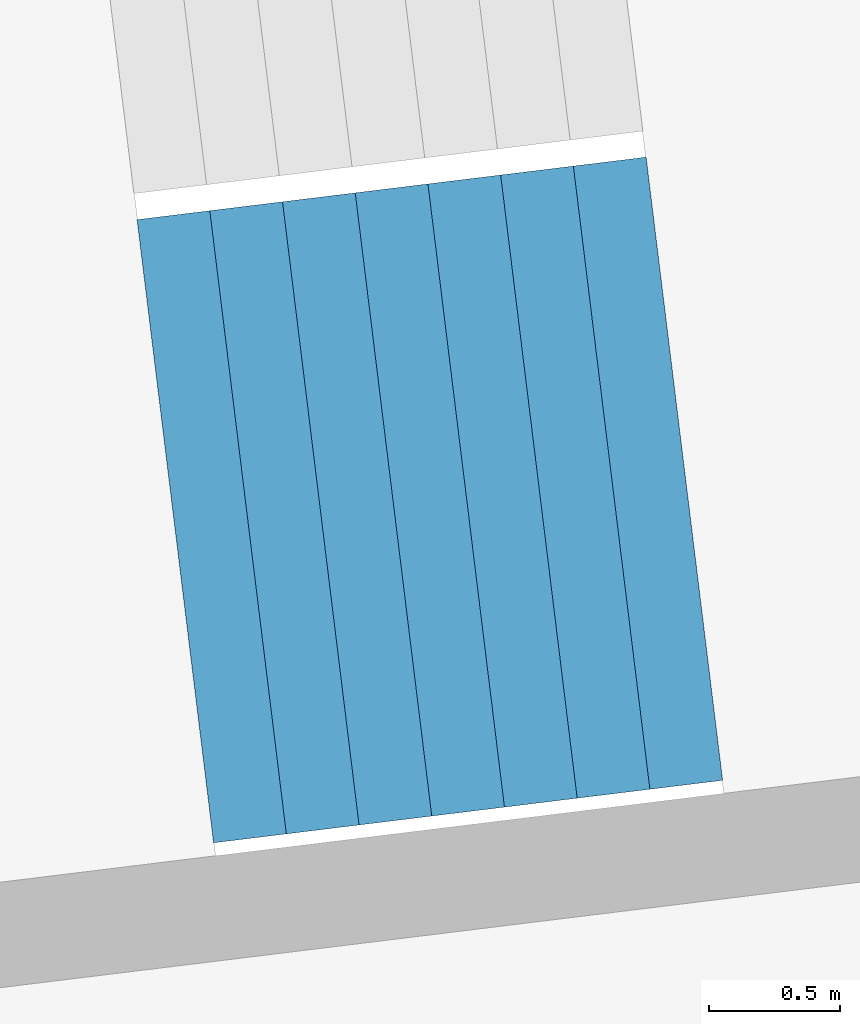
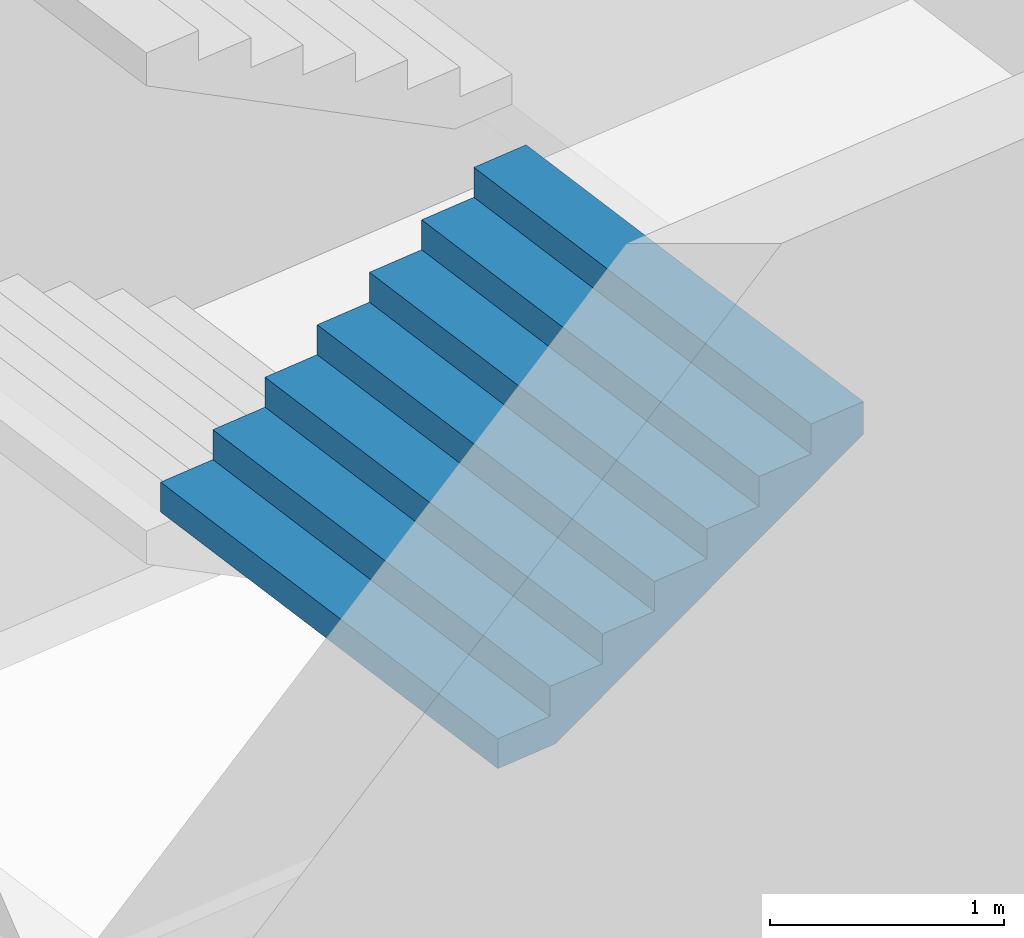
# One storey, part 58 of 73: 1 stair flight, 1 element without a shape of its own.
"""IFC4 building model written with IfcOpenShell, lengths in metres."""

from ifc_helpers import new_model, si_unit, direction, frame, origin, place, context, subcontext, project, spatial, triangles, material, type_object, element, aggregate, save


model = new_model("IFC4")

# Units and contexts
model_context = context("Model", 3, precision=1e-05, world=origin(), true_north=direction((0.0, 1.0)))
body_context = subcontext(model_context, "Body", "Model", "MODEL_VIEW")
ifc_project = project(units=[si_unit("LENGTHUNIT", "METRE"), si_unit("AREAUNIT", "SQUARE_METRE"), si_unit("VOLUMEUNIT", "CUBIC_METRE"), si_unit("PLANEANGLEUNIT", "RADIAN"), si_unit("MASSUNIT", "GRAM", prefix="KILO")], contexts=[model_context])

# Site, building, storey
site_placement = place(None, origin())
site = spatial("IfcSite", under=ifc_project, at=site_placement, CompositionType="ELEMENT")
building_placement = place(site_placement, origin())
building = spatial("IfcBuilding", under=site, at=building_placement, Name="Lantaw Convention Tower", CompositionType="ELEMENT")
storey_placement = place(building_placement, frame((0.0, 0.0, 27.0)))
storey = spatial("IfcBuildingStorey", under=building, at=storey_placement, Name="L04", CompositionType="ELEMENT", Elevation=27.0)

# Stair, stair flight
ifc_material = material(Name="Concrete C35/45", Category="concrete")
stair_type = type_object("IfcStairType", Name="Exit stair 2400 riser 156.25 in 4 flights", PredefinedType="HALF_TURN_STAIR", material=ifc_material)
stair_placement = place(storey_placement, origin())
stair = element("IfcStair", 1, at=stair_placement, inside=storey, type_object=stair_type, Name="Podium exit stair P1 L04", PredefinedType="HALF_TURN_STAIR")
stair_flight_type = type_object("IfcStairFlightType", Name="Stair flight 2400 riser 156.25", PredefinedType="STRAIGHT", material=ifc_material)
stair_flight_placement = place(storey_placement, frame((38.2763671875, 3.4404296875, 2.5), z_axis=(0.0, 0.0, 1.0), x_axis=(0.992546151641, 0.121869343405, 0.0)))
stair_flight = element("IfcStairFlight", 2, at=stair_flight_placement, type_object=stair_flight_type, Name="P1 flight 3", NumberOfRisers=8, NumberOfTreads=7, PredefinedType="STRAIGHT", RiserHeight=0.15625, TreadLength=0.28, context=body_context, shape_type="Tessellation", body=[
    triangles([(0.0, 1.199951171875, 0.0), (0.0, 1.199951171875, 0.15625), (0.28, 1.199951171875, 0.0), (0.28, 1.199951171875, 0.15625), (0.28, 1.199951171875, 0.3125), (0.3076200632058044, 1.199951171875, 0.0), (0.3076200632058044, 1.199951171875, 0.3125), (0.56, 1.199951171875, 0.14083701830033238), (0.56, 1.199951171875, 0.3125), (0.56, 1.199951171875, 0.46875), (0.8400000000000001, 1.199951171875, 0.29708701830033235), (0.8400000000000001, 1.199951171875, 0.46875), (0.8400000000000001, 1.199951171875, 0.625), (1.12, 1.199951171875, 0.45333701830033235), (1.12, 1.199951171875, 0.625), (1.12, 1.199951171875, 0.78125), (1.4000000000000001, 1.199951171875, 0.6095870183003324), (1.4000000000000001, 1.199951171875, 0.78125), (1.4000000000000001, 1.199951171875, 0.9375), (1.6800000000000002, 1.199951171875, 0.7658370183003324), (1.6800000000000002, 1.199951171875, 0.9375), (1.6800000000000002, 1.199951171875, 1.09375), (1.9600000000000002, 1.199951171875, 0.9220870183003324), (1.9600000000000002, 1.199951171875, 1.09375), (0.0, -1.199951171875, 0.0), (0.0, -1.199951171875, 0.15625), (0.28, -1.199951171875, 0.0), (0.28, -1.199951171875, 0.15625), (0.28, -1.199951171875, 0.3125), (0.3076200632058044, -1.199951171875, 0.0), (0.3076200632058044, -1.199951171875, 0.3125), (0.56, -1.199951171875, 0.14083701830033238), (0.56, -1.199951171875, 0.3125), (0.56, -1.199951171875, 0.46875), (0.8400000000000001, -1.199951171875, 0.29708701830033235), (0.8400000000000001, -1.199951171875, 0.46875), (0.8400000000000001, -1.199951171875, 0.625), (1.12, -1.199951171875, 0.45333701830033235), (1.12, -1.199951171875, 0.625), (1.12, -1.199951171875, 0.78125), (1.4000000000000001, -1.199951171875, 0.6095870183003324), (1.4000000000000001, -1.199951171875, 0.78125), (1.4000000000000001, -1.199951171875, 0.9375), (1.6800000000000002, -1.199951171875, 0.7658370183003324), (1.6800000000000002, -1.199951171875, 0.9375), (1.6800000000000002, -1.199951171875, 1.09375), (1.9600000000000002, -1.199951171875, 0.9220870183003324), (1.9600000000000002, -1.199951171875, 1.09375), (0.0, 0.239990234375, 0.15625), (0.0, 0.239990234375, 0.0), (0.0, 0.1919921875, 0.15625), (0.0, 0.1919921875, 0.0), (0.0, 0.143994140625, 0.15625), (0.0, 0.143994140625, 0.0), (0.0, 0.09599609375, 0.15625), (0.0, 0.09599609375, 0.0), (0.0, 0.047998046875, 0.15625), (0.0, 0.047998046875, 0.0), (0.0, 0.0, 0.15625), (0.0, 0.0, 0.0), (0.0, -0.047998046875, 0.15625), (0.0, -0.047998046875, 0.0), (0.0, -0.09599609375, 0.15625), (0.0, -0.09599609375, 0.0), (0.0, -0.143994140625, 0.15625), (0.0, -0.143994140625, 0.0), (0.0, -0.1919921875, 0.15625), (0.0, -0.1919921875, 0.0), (0.0, -0.239990234375, 0.15625), (0.0, -0.239990234375, 0.0), (0.28, 0.239990234375, 0.3125), (0.28, 0.239990234375, 0.15625), (0.28, 0.1919921875, 0.3125), (0.28, 0.1919921875, 0.15625), (0.28, 0.143994140625, 0.3125), (0.28, 0.143994140625, 0.15625), (0.28, 0.09599609375, 0.3125), (0.28, 0.09599609375, 0.15625), (0.28, 0.047998046875, 0.3125), (0.28, 0.047998046875, 0.15625), (0.28, 0.0, 0.3125), (0.28, 0.0, 0.15625), (0.28, -0.047998046875, 0.3125), (0.28, -0.047998046875, 0.15625), (0.28, -0.09599609375, 0.3125), (0.28, -0.09599609375, 0.15625), (0.28, -0.143994140625, 0.3125), (0.28, -0.143994140625, 0.15625), (0.28, -0.1919921875, 0.3125), (0.28, -0.1919921875, 0.15625), (0.28, -0.239990234375, 0.3125), (0.28, -0.239990234375, 0.15625), (0.56, 0.239990234375, 0.46875), (0.56, 0.239990234375, 0.3125), (0.56, 0.1919921875, 0.46875), (0.56, 0.1919921875, 0.3125), (0.56, 0.143994140625, 0.46875), (0.56, 0.143994140625, 0.3125), (0.56, 0.09599609375, 0.46875), (0.56, 0.09599609375, 0.3125), (0.56, 0.047998046875, 0.46875), (0.56, 0.047998046875, 0.3125), (0.56, 0.0, 0.46875), (0.56, 0.0, 0.3125), (0.56, -0.047998046875, 0.46875), (0.56, -0.047998046875, 0.3125), (0.56, -0.09599609375, 0.46875), (0.56, -0.09599609375, 0.3125), (0.56, -0.143994140625, 0.46875), (0.56, -0.143994140625, 0.3125), (0.56, -0.1919921875, 0.46875), (0.56, -0.1919921875, 0.3125), (0.56, -0.239990234375, 0.46875), (0.56, -0.239990234375, 0.3125), (0.8400000000000001, 0.239990234375, 0.625), (0.8400000000000001, 0.239990234375, 0.46875), (0.8400000000000001, 0.1919921875, 0.625), (0.8400000000000001, 0.1919921875, 0.46875), (0.8400000000000001, 0.143994140625, 0.625), (0.8400000000000001, 0.143994140625, 0.46875), (0.8400000000000001, 0.09599609375, 0.625), (0.8400000000000001, 0.09599609375, 0.46875), (0.8400000000000001, 0.047998046875, 0.625), (0.8400000000000001, 0.047998046875, 0.46875), (0.8400000000000001, 0.0, 0.625), (0.8400000000000001, 0.0, 0.46875), (0.8400000000000001, -0.047998046875, 0.625), (0.8400000000000001, -0.047998046875, 0.46875), (0.8400000000000001, -0.09599609375, 0.625), (0.8400000000000001, -0.09599609375, 0.46875), (0.8400000000000001, -0.143994140625, 0.625), (0.8400000000000001, -0.143994140625, 0.46875), (0.8400000000000001, -0.1919921875, 0.625), (0.8400000000000001, -0.1919921875, 0.46875), (0.8400000000000001, -0.239990234375, 0.625), (0.8400000000000001, -0.239990234375, 0.46875), (1.12, 0.239990234375, 0.78125), (1.12, 0.239990234375, 0.625), (1.12, 0.1919921875, 0.78125), (1.12, 0.1919921875, 0.625), (1.12, 0.143994140625, 0.78125), (1.12, 0.143994140625, 0.625), (1.12, 0.09599609375, 0.78125), (1.12, 0.09599609375, 0.625), (1.12, 0.047998046875, 0.78125), (1.12, 0.047998046875, 0.625), (1.12, 0.0, 0.78125), (1.12, 0.0, 0.625), (1.12, -0.047998046875, 0.78125), (1.12, -0.047998046875, 0.625), (1.12, -0.09599609375, 0.78125), (1.12, -0.09599609375, 0.625), (1.12, -0.143994140625, 0.78125), (1.12, -0.143994140625, 0.625), (1.12, -0.1919921875, 0.78125), (1.12, -0.1919921875, 0.625), (1.12, -0.239990234375, 0.78125), (1.12, -0.239990234375, 0.625), (1.4000000000000001, 0.239990234375, 0.9375), (1.4000000000000001, 0.239990234375, 0.78125), (1.4000000000000001, 0.1919921875, 0.9375), (1.4000000000000001, 0.1919921875, 0.78125), (1.4000000000000001, 0.143994140625, 0.9375), (1.4000000000000001, 0.143994140625, 0.78125), (1.4000000000000001, 0.09599609375, 0.9375), (1.4000000000000001, 0.09599609375, 0.78125), (1.4000000000000001, 0.047998046875, 0.9375), (1.4000000000000001, 0.047998046875, 0.78125), (1.4000000000000001, 0.0, 0.9375), (1.4000000000000001, 0.0, 0.78125), (1.4000000000000001, -0.047998046875, 0.9375), (1.4000000000000001, -0.047998046875, 0.78125), (1.4000000000000001, -0.09599609375, 0.9375), (1.4000000000000001, -0.09599609375, 0.78125), (1.4000000000000001, -0.143994140625, 0.9375), (1.4000000000000001, -0.143994140625, 0.78125), (1.4000000000000001, -0.1919921875, 0.9375), (1.4000000000000001, -0.1919921875, 0.78125), (1.4000000000000001, -0.239990234375, 0.9375), (1.4000000000000001, -0.239990234375, 0.78125), (1.6800000000000002, 0.239990234375, 1.09375), (1.6800000000000002, 0.239990234375, 0.9375), (1.6800000000000002, 0.1919921875, 1.09375), (1.6800000000000002, 0.1919921875, 0.9375), (1.6800000000000002, 0.143994140625, 1.09375), (1.6800000000000002, 0.143994140625, 0.9375), (1.6800000000000002, 0.09599609375, 1.09375), (1.6800000000000002, 0.09599609375, 0.9375), (1.6800000000000002, 0.047998046875, 1.09375), (1.6800000000000002, 0.047998046875, 0.9375), (1.6800000000000002, 0.0, 1.09375), (1.6800000000000002, 0.0, 0.9375), (1.6800000000000002, -0.047998046875, 1.09375), (1.6800000000000002, -0.047998046875, 0.9375), (1.6800000000000002, -0.09599609375, 1.09375), (1.6800000000000002, -0.09599609375, 0.9375), (1.6800000000000002, -0.143994140625, 1.09375), (1.6800000000000002, -0.143994140625, 0.9375), (1.6800000000000002, -0.1919921875, 1.09375), (1.6800000000000002, -0.1919921875, 0.9375), (1.6800000000000002, -0.239990234375, 1.09375), (1.6800000000000002, -0.239990234375, 0.9375), (0.3076200632058044, 0.239990234375, 0.3125), (0.3076200632058044, 0.1919921875, 0.3125), (0.3076200632058044, 0.143994140625, 0.3125), (0.3076200632058044, 0.09599609375, 0.3125), (0.3076200632058044, 0.047998046875, 0.3125), (0.3076200632058044, 0.0, 0.3125), (0.3076200632058044, -0.047998046875, 0.3125), (0.3076200632058044, -0.09599609375, 0.3125), (0.3076200632058044, -0.143994140625, 0.3125), (0.3076200632058044, -0.1919921875, 0.3125), (0.3076200632058044, -0.239990234375, 0.3125), (1.9600000000000002, 0.239990234375, 1.09375), (1.9600000000000002, 0.1919921875, 1.09375), (1.9600000000000002, 0.143994140625, 1.09375), (1.9600000000000002, 0.09599609375, 1.09375), (1.9600000000000002, 0.047998046875, 1.09375), (1.9600000000000002, 0.0, 1.09375), (1.9600000000000002, -0.047998046875, 1.09375), (1.9600000000000002, -0.09599609375, 1.09375), (1.9600000000000002, -0.143994140625, 1.09375), (1.9600000000000002, -0.1919921875, 1.09375), (1.9600000000000002, -0.239990234375, 1.09375), (1.9600000000000002, 0.239990234375, 0.9220870183003324), (1.9600000000000002, 0.1919921875, 0.9220870183003324), (1.9600000000000002, 0.143994140625, 0.9220870183003324), (1.9600000000000002, 0.09599609375, 0.9220870183003324), (1.9600000000000002, 0.047998046875, 0.9220870183003324), (1.9600000000000002, 0.0, 0.9220870183003324), (1.9600000000000002, -0.047998046875, 0.9220870183003324), (1.9600000000000002, -0.09599609375, 0.9220870183003324), (1.9600000000000002, -0.143994140625, 0.9220870183003324), (1.9600000000000002, -0.1919921875, 0.9220870183003324), (1.9600000000000002, -0.239990234375, 0.9220870183003324), (1.6800000000000002, 0.239990234375, 0.7658370183003324), (1.6800000000000002, 0.1919921875, 0.7658370183003324), (1.6800000000000002, 0.143994140625, 0.7658370183003324), (1.6800000000000002, 0.09599609375, 0.7658370183003324), (1.6800000000000002, 0.047998046875, 0.7658370183003324), (1.6800000000000002, 0.0, 0.7658370183003324), (1.6800000000000002, -0.047998046875, 0.7658370183003324), (1.6800000000000002, -0.09599609375, 0.7658370183003324), (1.6800000000000002, -0.143994140625, 0.7658370183003324), (1.6800000000000002, -0.1919921875, 0.7658370183003324), (1.6800000000000002, -0.239990234375, 0.7658370183003324), (1.4000000000000001, 0.239990234375, 0.6095870183003324), (1.4000000000000001, 0.1919921875, 0.6095870183003324), (1.4000000000000001, 0.143994140625, 0.6095870183003324), (1.4000000000000001, 0.09599609375, 0.6095870183003324), (1.4000000000000001, 0.047998046875, 0.6095870183003324), (1.4000000000000001, 0.0, 0.6095870183003324), (1.4000000000000001, -0.047998046875, 0.6095870183003324), (1.4000000000000001, -0.09599609375, 0.6095870183003324), (1.4000000000000001, -0.143994140625, 0.6095870183003324), (1.4000000000000001, -0.1919921875, 0.6095870183003324), (1.4000000000000001, -0.239990234375, 0.6095870183003324), (1.12, 0.239990234375, 0.45333701830033235), (1.12, 0.1919921875, 0.45333701830033235), (1.12, 0.143994140625, 0.45333701830033235), (1.12, 0.09599609375, 0.45333701830033235), (1.12, 0.047998046875, 0.45333701830033235), (1.12, 0.0, 0.45333701830033235), (1.12, -0.047998046875, 0.45333701830033235), (1.12, -0.09599609375, 0.45333701830033235), (1.12, -0.143994140625, 0.45333701830033235), (1.12, -0.1919921875, 0.45333701830033235), (1.12, -0.239990234375, 0.45333701830033235), (0.8400000000000001, 0.239990234375, 0.29708701830033235), (0.8400000000000001, 0.1919921875, 0.29708701830033235), (0.8400000000000001, 0.143994140625, 0.29708701830033235), (0.8400000000000001, 0.09599609375, 0.29708701830033235), (0.8400000000000001, 0.047998046875, 0.29708701830033235), (0.8400000000000001, 0.0, 0.29708701830033235), (0.8400000000000001, -0.047998046875, 0.29708701830033235), (0.8400000000000001, -0.09599609375, 0.29708701830033235), (0.8400000000000001, -0.143994140625, 0.29708701830033235), (0.8400000000000001, -0.1919921875, 0.29708701830033235), (0.8400000000000001, -0.239990234375, 0.29708701830033235), (0.56, 0.239990234375, 0.14083701830033238), (0.56, 0.1919921875, 0.14083701830033238), (0.56, 0.143994140625, 0.14083701830033238), (0.56, 0.09599609375, 0.14083701830033238), (0.56, 0.047998046875, 0.14083701830033238), (0.56, 0.0, 0.14083701830033238), (0.56, -0.047998046875, 0.14083701830033238), (0.56, -0.09599609375, 0.14083701830033238), (0.56, -0.143994140625, 0.14083701830033238), (0.56, -0.1919921875, 0.14083701830033238), (0.56, -0.239990234375, 0.14083701830033238), (0.3076200632058044, 0.239990234375, 0.0), (0.3076200632058044, 0.1919921875, 0.0), (0.3076200632058044, 0.143994140625, 0.0), (0.3076200632058044, 0.09599609375, 0.0), (0.3076200632058044, 0.047998046875, 0.0), (0.3076200632058044, 0.0, 0.0), (0.3076200632058044, -0.047998046875, 0.0), (0.3076200632058044, -0.09599609375, 0.0), (0.3076200632058044, -0.143994140625, 0.0), (0.3076200632058044, -0.1919921875, 0.0), (0.3076200632058044, -0.239990234375, 0.0), (0.28, 0.239990234375, 0.0), (0.28, 0.1919921875, 0.0), (0.28, 0.143994140625, 0.0), (0.28, 0.09599609375, 0.0), (0.28, 0.047998046875, 0.0), (0.28, 0.0, 0.0), (0.28, -0.047998046875, 0.0), (0.28, -0.09599609375, 0.0), (0.28, -0.143994140625, 0.0), (0.28, -0.1919921875, 0.0), (0.28, -0.239990234375, 0.0)], [[1, 4, 3], [1, 2, 4], [3, 4, 6], [4, 7, 6], [4, 5, 7], [6, 9, 8], [6, 7, 9], [8, 9, 11], [9, 12, 11], [9, 10, 12], [11, 12, 14], [12, 15, 14], [12, 13, 15], [14, 15, 17], [15, 18, 17], [15, 16, 18], [17, 18, 20], [18, 21, 20], [18, 19, 21], [20, 21, 23], [21, 24, 23], [21, 22, 24], [25, 27, 28], [25, 28, 26], [27, 30, 28], [28, 30, 31], [28, 31, 29], [30, 32, 33], [30, 33, 31], [32, 35, 33], [33, 35, 36], [33, 36, 34], [35, 38, 36], [36, 38, 39], [36, 39, 37], [38, 41, 39], [39, 41, 42], [39, 42, 40], [41, 44, 42], [42, 44, 45], [42, 45, 43], [44, 47, 45], [45, 47, 48], [45, 48, 46], [1, 49, 2], [1, 50, 49], [50, 51, 49], [50, 52, 51], [52, 53, 51], [52, 54, 53], [54, 55, 53], [54, 56, 55], [56, 57, 55], [56, 58, 57], [58, 59, 57], [58, 60, 59], [60, 61, 59], [60, 62, 61], [62, 63, 61], [62, 64, 63], [64, 65, 63], [64, 66, 65], [66, 67, 65], [66, 68, 67], [68, 69, 67], [68, 70, 69], [70, 26, 69], [70, 25, 26], [4, 71, 5], [4, 72, 71], [72, 73, 71], [72, 74, 73], [74, 75, 73], [74, 76, 75], [76, 77, 75], [76, 78, 77], [78, 79, 77], [78, 80, 79], [80, 81, 79], [80, 82, 81], [82, 83, 81], [82, 84, 83], [84, 85, 83], [84, 86, 85], [86, 87, 85], [86, 88, 87], [88, 89, 87], [88, 90, 89], [90, 91, 89], [90, 92, 91], [92, 29, 91], [92, 28, 29], [9, 93, 10], [9, 94, 93], [94, 95, 93], [94, 96, 95], [96, 97, 95], [96, 98, 97], [98, 99, 97], [98, 100, 99], [100, 101, 99], [100, 102, 101], [102, 103, 101], [102, 104, 103], [104, 105, 103], [104, 106, 105], [106, 107, 105], [106, 108, 107], [108, 109, 107], [108, 110, 109], [110, 111, 109], [110, 112, 111], [112, 113, 111], [112, 114, 113], [114, 34, 113], [114, 33, 34], [12, 115, 13], [12, 116, 115], [116, 117, 115], [116, 118, 117], [118, 119, 117], [118, 120, 119], [120, 121, 119], [120, 122, 121], [122, 123, 121], [122, 124, 123], [124, 125, 123], [124, 126, 125], [126, 127, 125], [126, 128, 127], [128, 129, 127], [128, 130, 129], [130, 131, 129], [130, 132, 131], [132, 133, 131], [132, 134, 133], [134, 135, 133], [134, 136, 135], [136, 37, 135], [136, 36, 37], [15, 137, 16], [15, 138, 137], [138, 139, 137], [138, 140, 139], [140, 141, 139], [140, 142, 141], [142, 143, 141], [142, 144, 143], [144, 145, 143], [144, 146, 145], [146, 147, 145], [146, 148, 147], [148, 149, 147], [148, 150, 149], [150, 151, 149], [150, 152, 151], [152, 153, 151], [152, 154, 153], [154, 155, 153], [154, 156, 155], [156, 157, 155], [156, 158, 157], [158, 40, 157], [158, 39, 40], [18, 159, 19], [18, 160, 159], [160, 161, 159], [160, 162, 161], [162, 163, 161], [162, 164, 163], [164, 165, 163], [164, 166, 165], [166, 167, 165], [166, 168, 167], [168, 169, 167], [168, 170, 169], [170, 171, 169], [170, 172, 171], [172, 173, 171], [172, 174, 173], [174, 175, 173], [174, 176, 175], [176, 177, 175], [176, 178, 177], [178, 179, 177], [178, 180, 179], [180, 43, 179], [180, 42, 43], [21, 181, 22], [21, 182, 181], [182, 183, 181], [182, 184, 183], [184, 185, 183], [184, 186, 185], [186, 187, 185], [186, 188, 187], [188, 189, 187], [188, 190, 189], [190, 191, 189], [190, 192, 191], [192, 193, 191], [192, 194, 193], [194, 195, 193], [194, 196, 195], [196, 197, 195], [196, 198, 197], [198, 199, 197], [198, 200, 199], [200, 201, 199], [200, 202, 201], [202, 46, 201], [202, 45, 46], [2, 72, 4], [2, 49, 72], [49, 74, 72], [49, 51, 74], [51, 76, 74], [51, 53, 76], [53, 78, 76], [53, 55, 78], [55, 80, 78], [55, 57, 80], [57, 82, 80], [57, 59, 82], [59, 84, 82], [59, 61, 84], [61, 86, 84], [61, 63, 86], [63, 88, 86], [63, 65, 88], [65, 90, 88], [65, 67, 90], [67, 92, 90], [67, 69, 92], [69, 28, 92], [69, 26, 28], [5, 203, 7], [5, 71, 203], [71, 204, 203], [71, 73, 204], [73, 205, 204], [73, 75, 205], [75, 206, 205], [75, 77, 206], [77, 207, 206], [77, 79, 207], [79, 208, 207], [79, 81, 208], [81, 209, 208], [81, 83, 209], [83, 210, 209], [83, 85, 210], [85, 211, 210], [85, 87, 211], [87, 212, 211], [87, 89, 212], [89, 213, 212], [89, 91, 213], [91, 31, 213], [91, 29, 31], [7, 94, 9], [7, 203, 94], [203, 96, 94], [203, 204, 96], [204, 98, 96], [204, 205, 98], [205, 100, 98], [205, 206, 100], [206, 102, 100], [206, 207, 102], [207, 104, 102], [207, 208, 104], [208, 106, 104], [208, 209, 106], [209, 108, 106], [209, 210, 108], [210, 110, 108], [210, 211, 110], [211, 112, 110], [211, 212, 112], [212, 114, 112], [212, 213, 114], [213, 33, 114], [213, 31, 33], [10, 116, 12], [10, 93, 116], [93, 118, 116], [93, 95, 118], [95, 120, 118], [95, 97, 120], [97, 122, 120], [97, 99, 122], [99, 124, 122], [99, 101, 124], [101, 126, 124], [101, 103, 126], [103, 128, 126], [103, 105, 128], [105, 130, 128], [105, 107, 130], [107, 132, 130], [107, 109, 132], [109, 134, 132], [109, 111, 134], [111, 136, 134], [111, 113, 136], [113, 36, 136], [113, 34, 36], [13, 138, 15], [13, 115, 138], [115, 140, 138], [115, 117, 140], [117, 142, 140], [117, 119, 142], [119, 144, 142], [119, 121, 144], [121, 146, 144], [121, 123, 146], [123, 148, 146], [123, 125, 148], [125, 150, 148], [125, 127, 150], [127, 152, 150], [127, 129, 152], [129, 154, 152], [129, 131, 154], [131, 156, 154], [131, 133, 156], [133, 158, 156], [133, 135, 158], [135, 39, 158], [135, 37, 39], [16, 160, 18], [16, 137, 160], [137, 162, 160], [137, 139, 162], [139, 164, 162], [139, 141, 164], [141, 166, 164], [141, 143, 166], [143, 168, 166], [143, 145, 168], [145, 170, 168], [145, 147, 170], [147, 172, 170], [147, 149, 172], [149, 174, 172], [149, 151, 174], [151, 176, 174], [151, 153, 176], [153, 178, 176], [153, 155, 178], [155, 180, 178], [155, 157, 180], [157, 42, 180], [157, 40, 42], [19, 182, 21], [19, 159, 182], [159, 184, 182], [159, 161, 184], [161, 186, 184], [161, 163, 186], [163, 188, 186], [163, 165, 188], [165, 190, 188], [165, 167, 190], [167, 192, 190], [167, 169, 192], [169, 194, 192], [169, 171, 194], [171, 196, 194], [171, 173, 196], [173, 198, 196], [173, 175, 198], [175, 200, 198], [175, 177, 200], [177, 202, 200], [177, 179, 202], [179, 45, 202], [179, 43, 45], [22, 214, 24], [22, 181, 214], [181, 215, 214], [181, 183, 215], [183, 216, 215], [183, 185, 216], [185, 217, 216], [185, 187, 217], [187, 218, 217], [187, 189, 218], [189, 219, 218], [189, 191, 219], [191, 220, 219], [191, 193, 220], [193, 221, 220], [193, 195, 221], [195, 222, 221], [195, 197, 222], [197, 223, 222], [197, 199, 223], [199, 224, 223], [199, 201, 224], [201, 48, 224], [201, 46, 48], [24, 225, 23], [24, 214, 225], [214, 226, 225], [214, 215, 226], [215, 227, 226], [215, 216, 227], [216, 228, 227], [216, 217, 228], [217, 229, 228], [217, 218, 229], [218, 230, 229], [218, 219, 230], [219, 231, 230], [219, 220, 231], [220, 232, 231], [220, 221, 232], [221, 233, 232], [221, 222, 233], [222, 234, 233], [222, 223, 234], [223, 235, 234], [223, 224, 235], [224, 47, 235], [224, 48, 47], [23, 236, 20], [23, 225, 236], [225, 237, 236], [225, 226, 237], [226, 238, 237], [226, 227, 238], [227, 239, 238], [227, 228, 239], [228, 240, 239], [228, 229, 240], [229, 241, 240], [229, 230, 241], [230, 242, 241], [230, 231, 242], [231, 243, 242], [231, 232, 243], [232, 244, 243], [232, 233, 244], [233, 245, 244], [233, 234, 245], [234, 246, 245], [234, 235, 246], [235, 44, 246], [235, 47, 44], [20, 247, 17], [20, 236, 247], [236, 248, 247], [236, 237, 248], [237, 249, 248], [237, 238, 249], [238, 250, 249], [238, 239, 250], [239, 251, 250], [239, 240, 251], [240, 252, 251], [240, 241, 252], [241, 253, 252], [241, 242, 253], [242, 254, 253], [242, 243, 254], [243, 255, 254], [243, 244, 255], [244, 256, 255], [244, 245, 256], [245, 257, 256], [245, 246, 257], [246, 41, 257], [246, 44, 41], [17, 258, 14], [17, 247, 258], [247, 259, 258], [247, 248, 259], [248, 260, 259], [248, 249, 260], [249, 261, 260], [249, 250, 261], [250, 262, 261], [250, 251, 262], [251, 263, 262], [251, 252, 263], [252, 264, 263], [252, 253, 264], [253, 265, 264], [253, 254, 265], [254, 266, 265], [254, 255, 266], [255, 267, 266], [255, 256, 267], [256, 268, 267], [256, 257, 268], [257, 38, 268], [257, 41, 38], [14, 269, 11], [14, 258, 269], [258, 270, 269], [258, 259, 270], [259, 271, 270], [259, 260, 271], [260, 272, 271], [260, 261, 272], [261, 273, 272], [261, 262, 273], [262, 274, 273], [262, 263, 274], [263, 275, 274], [263, 264, 275], [264, 276, 275], [264, 265, 276], [265, 277, 276], [265, 266, 277], [266, 278, 277], [266, 267, 278], [267, 279, 278], [267, 268, 279], [268, 35, 279], [268, 38, 35], [11, 280, 8], [11, 269, 280], [269, 281, 280], [269, 270, 281], [270, 282, 281], [270, 271, 282], [271, 283, 282], [271, 272, 283], [272, 284, 283], [272, 273, 284], [273, 285, 284], [273, 274, 285], [274, 286, 285], [274, 275, 286], [275, 287, 286], [275, 276, 287], [276, 288, 287], [276, 277, 288], [277, 289, 288], [277, 278, 289], [278, 290, 289], [278, 279, 290], [279, 32, 290], [279, 35, 32], [8, 291, 6], [8, 280, 291], [280, 292, 291], [280, 281, 292], [281, 293, 292], [281, 282, 293], [282, 294, 293], [282, 283, 294], [283, 295, 294], [283, 284, 295], [284, 296, 295], [284, 285, 296], [285, 297, 296], [285, 286, 297], [286, 298, 297], [286, 287, 298], [287, 299, 298], [287, 288, 299], [288, 300, 299], [288, 289, 300], [289, 301, 300], [289, 290, 301], [290, 30, 301], [290, 32, 30], [6, 302, 3], [6, 291, 302], [291, 303, 302], [291, 292, 303], [292, 304, 303], [292, 293, 304], [293, 305, 304], [293, 294, 305], [294, 306, 305], [294, 295, 306], [295, 307, 306], [295, 296, 307], [296, 308, 307], [296, 297, 308], [297, 309, 308], [297, 298, 309], [298, 310, 309], [298, 299, 310], [299, 311, 310], [299, 300, 311], [300, 312, 311], [300, 301, 312], [301, 27, 312], [301, 30, 27], [3, 50, 1], [3, 302, 50], [302, 52, 50], [302, 303, 52], [303, 54, 52], [303, 304, 54], [304, 56, 54], [304, 305, 56], [305, 58, 56], [305, 306, 58], [306, 60, 58], [306, 307, 60], [307, 62, 60], [307, 308, 62], [308, 64, 62], [308, 309, 64], [309, 66, 64], [309, 310, 66], [310, 68, 66], [310, 311, 68], [311, 70, 68], [311, 312, 70], [312, 25, 70], [312, 27, 25]], closed=True),
])
aggregate(stair, [stair_flight])

save(model, "model.ifc")
